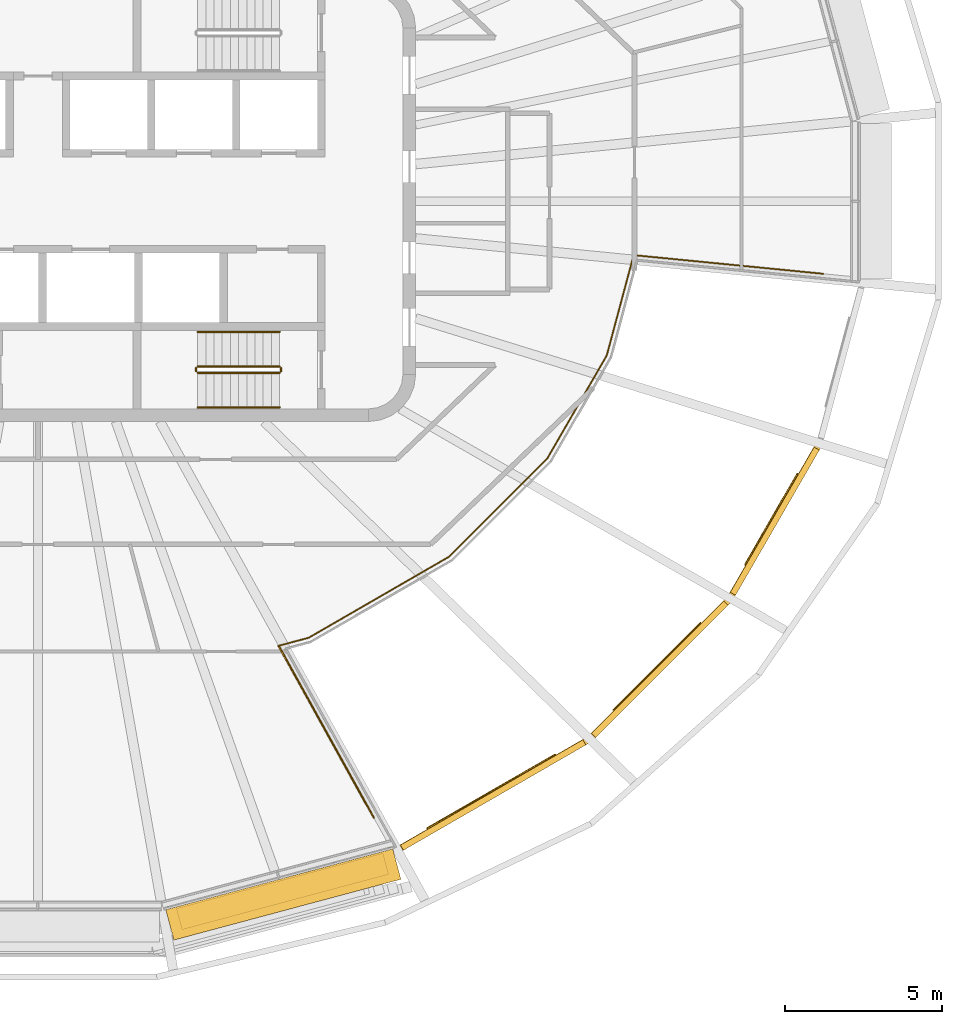
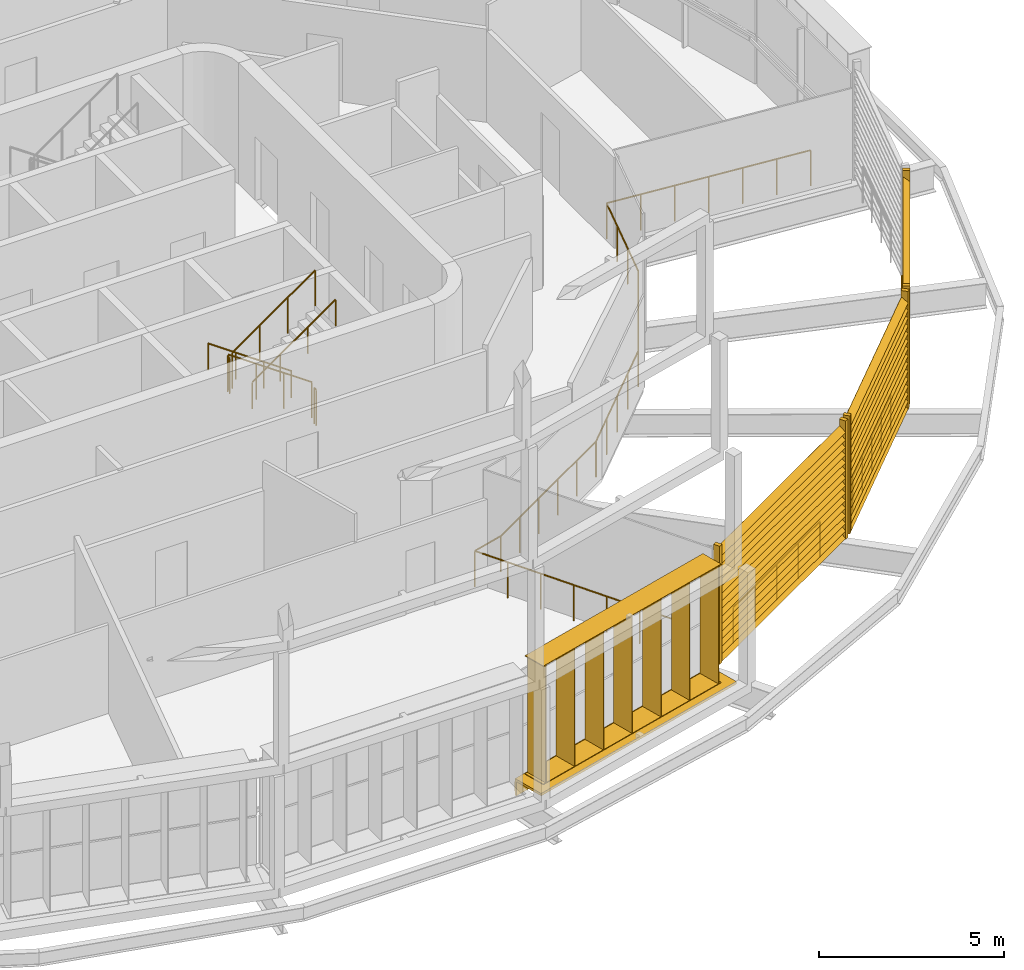
# One storey, part 16 of 18: 11 railings, 5 shading devices.
"""IFC4 building model written with IfcOpenShell, lengths in metres."""

from ifc_helpers import new_model, si_unit, direction, frame, origin, origin_2d, place, context, subcontext, project, spatial, rectangle, circle, extrude, material, type_object, element, save


model = new_model("IFC4")

# Units and contexts
model_context = context("Model", 3, precision=1e-05, world=origin(), true_north=direction((0.0, 1.0)))
body_context = subcontext(model_context, "Body", "Model", "MODEL_VIEW")
ifc_project = project(units=[si_unit("LENGTHUNIT", "METRE"), si_unit("AREAUNIT", "SQUARE_METRE"), si_unit("VOLUMEUNIT", "CUBIC_METRE"), si_unit("PLANEANGLEUNIT", "RADIAN"), si_unit("MASSUNIT", "GRAM", prefix="KILO")], contexts=[model_context])

# Site, building, storey
site_placement = place(None, origin())
site = spatial("IfcSite", under=ifc_project, at=site_placement, CompositionType="ELEMENT")
building_placement = place(site_placement, origin())
building = spatial("IfcBuilding", under=site, at=building_placement, Name="Sahrelin Media Tower", CompositionType="ELEMENT")
storey_placement = place(building_placement, frame((0.0, 0.0, 308.39990234375)))
storey = spatial("IfcBuildingStorey", under=building, at=storey_placement, Name="L68", CompositionType="ELEMENT", Elevation=308.39990234375)

# Shading devices
ifc_material_1 = material(Name="Champagne anodised aluminium 6063-T6", Category="aluminium")
shading_device_type_1 = type_object("IfcShadingDeviceType", Name="Fin cassette", PredefinedType="USERDEFINED", material=ifc_material_1)
placement = place(storey_placement, frame((7.662109375, -21.52099609375, 0.0), z_axis=(0.0, 0.0, 1.0), x_axis=(-0.965928857556, -0.258807731996, 0.0)))
element("IfcShadingDevice", 1, at=placement, inside=storey, type_object=shading_device_type_1, Name="L68:FIN:L68-19", ObjectType="FIN", PredefinedType="USERDEFINED", context=body_context, shape_type="SweptSolid", body=[
    extrude(rectangle(XDim=6.800048828125, YDim=0.699951171875, at=origin_2d()), frame((0.0, 0.419921875, 0.0)), (0.0, 0.0, 1.0), 0.02001953125),
    extrude(rectangle(XDim=6.800048828125, YDim=0.699951171875, at=origin_2d()), frame((0.0, 0.419921875, 3.89990234375)), (0.0, 0.0, 1.0), 0.02001953125),
    extrude(rectangle(XDim=0.02001953125, YDim=0.699951171875, at=origin_2d()), frame((-3.300048828125, 0.419921875, 0.010009765625), z_axis=(0.0, 0.0, 1.0), x_axis=(1.0, 0.0, 0.0)), (0.0, 0.0, 1.0), 3.89990234375),
    extrude(rectangle(XDim=0.02001953125, YDim=0.699951171875, at=origin_2d()), frame((-2.199951171875, 0.419921875, 0.010009765625), z_axis=(0.0, 0.0, 1.0), x_axis=(1.0, 0.0, 0.0)), (0.0, 0.0, 1.0), 3.89990234375),
    extrude(rectangle(XDim=0.02001953125, YDim=0.699951171875, at=origin_2d()), frame((-1.10009765625, 0.419921875, 0.010009765625), z_axis=(0.0, 0.0, 1.0), x_axis=(1.0, 0.0, 0.0)), (0.0, 0.0, 1.0), 3.89990234375),
    extrude(rectangle(XDim=0.02001953125, YDim=0.699951171875, at=origin_2d()), frame((0.0, 0.419921875, 0.010009765625), z_axis=(0.0, 0.0, 1.0), x_axis=(1.0, 0.0, 0.0)), (0.0, 0.0, 1.0), 3.89990234375),
    extrude(rectangle(XDim=0.02001953125, YDim=0.699951171875, at=origin_2d()), frame((1.10009765625, 0.419921875, 0.010009765625), z_axis=(0.0, 0.0, 1.0), x_axis=(1.0, 0.0, 0.0)), (0.0, 0.0, 1.0), 3.89990234375),
    extrude(rectangle(XDim=0.02001953125, YDim=0.699951171875, at=origin_2d()), frame((2.199951171875, 0.419921875, 0.010009765625), z_axis=(0.0, 0.0, 1.0), x_axis=(1.0, 0.0, 0.0)), (0.0, 0.0, 1.0), 3.89990234375),
    extrude(rectangle(XDim=0.02001953125, YDim=0.699951171875, at=origin_2d()), frame((3.300048828125, 0.419921875, 0.010009765625), z_axis=(0.0, 0.0, 1.0), x_axis=(1.0, 0.0, 0.0)), (0.0, 0.0, 1.0), 3.89990234375),
])
shading_device_type_2 = type_object("IfcShadingDeviceType", Name="Garden screen", PredefinedType="USERDEFINED", material=ifc_material_1)
shading_device_2_placement = place(storey_placement, frame((14.40869140625, -18.771240234375, 0.0), z_axis=(0.0, 0.0, 1.0), x_axis=(-0.866019052629, -0.500011000363, 0.0)))
element("IfcShadingDevice", 2, at=shading_device_2_placement, inside=storey, type_object=shading_device_type_2, Name="L68:SCREEN:L68-20", ObjectType="SCREEN", PredefinedType="USERDEFINED", context=body_context, shape_type="SweptSolid", body=[
    extrude(rectangle(XDim=0.1201171875, YDim=0.199951171875, at=origin_2d()), frame((3.405517578125, 0.10009765625, 0.050048828125), z_axis=(0.0, 0.0, 1.0), x_axis=(1.0, 0.0, 0.0)), (0.0, 0.0, 1.0), 3.89990234375),
    extrude(rectangle(XDim=0.1201171875, YDim=0.199951171875, at=origin_2d()), frame((-3.405517578125, 0.10009765625, 0.050048828125), z_axis=(0.0, 0.0, 1.0), x_axis=(1.0, 0.0, 0.0)), (0.0, 0.0, 1.0), 3.89990234375),
    extrude(rectangle(XDim=0.25, YDim=0.02001953125, at=origin_2d()), frame((3.345703125, 0.10009765625, 0.14990234375), z_axis=(-1.0, 0.0, 0.0), x_axis=(0.0, -0.766044443119, 0.642787609687)), (0.0, 0.0, 1.0), 6.69140625),
    extrude(rectangle(XDim=0.25, YDim=0.02001953125, at=origin_2d()), frame((3.345703125, 0.10009765625, 0.39990234375), z_axis=(-1.0, 0.0, 0.0), x_axis=(0.0, -0.766044443119, 0.642787609687)), (0.0, 0.0, 1.0), 6.69140625),
    extrude(rectangle(XDim=0.25, YDim=0.02001953125, at=origin_2d()), frame((3.345703125, 0.10009765625, 0.64990234375), z_axis=(-1.0, 0.0, 0.0), x_axis=(0.0, -0.766044443119, 0.642787609687)), (0.0, 0.0, 1.0), 6.69140625),
    extrude(rectangle(XDim=0.25, YDim=0.02001953125, at=origin_2d()), frame((3.345703125, 0.10009765625, 0.89990234375), z_axis=(-1.0, 0.0, 0.0), x_axis=(0.0, -0.766044443119, 0.642787609687)), (0.0, 0.0, 1.0), 6.69140625),
    extrude(rectangle(XDim=0.25, YDim=0.02001953125, at=origin_2d()), frame((3.345703125, 0.10009765625, 1.14990234375), z_axis=(-1.0, 0.0, 0.0), x_axis=(0.0, -0.766044443119, 0.642787609687)), (0.0, 0.0, 1.0), 6.69140625),
    extrude(rectangle(XDim=0.25, YDim=0.02001953125, at=origin_2d()), frame((3.345703125, 0.10009765625, 1.39990234375), z_axis=(-1.0, 0.0, 0.0), x_axis=(0.0, -0.766044443119, 0.642787609687)), (0.0, 0.0, 1.0), 6.69140625),
    extrude(rectangle(XDim=0.25, YDim=0.02001953125, at=origin_2d()), frame((3.345703125, 0.10009765625, 1.64990234375), z_axis=(-1.0, 0.0, 0.0), x_axis=(0.0, -0.766044443119, 0.642787609687)), (0.0, 0.0, 1.0), 6.69140625),
    extrude(rectangle(XDim=0.25, YDim=0.02001953125, at=origin_2d()), frame((3.345703125, 0.10009765625, 1.89990234375), z_axis=(-1.0, 0.0, 0.0), x_axis=(0.0, -0.766044443119, 0.642787609687)), (0.0, 0.0, 1.0), 6.69140625),
    extrude(rectangle(XDim=0.25, YDim=0.02001953125, at=origin_2d()), frame((3.345703125, 0.10009765625, 2.14990234375), z_axis=(-1.0, 0.0, 0.0), x_axis=(0.0, -0.766044443119, 0.642787609687)), (0.0, 0.0, 1.0), 6.69140625),
    extrude(rectangle(XDim=0.25, YDim=0.02001953125, at=origin_2d()), frame((3.345703125, 0.10009765625, 2.39990234375), z_axis=(-1.0, 0.0, 0.0), x_axis=(0.0, -0.766044443119, 0.642787609687)), (0.0, 0.0, 1.0), 6.69140625),
    extrude(rectangle(XDim=0.25, YDim=0.02001953125, at=origin_2d()), frame((3.345703125, 0.10009765625, 2.64990234375), z_axis=(-1.0, 0.0, 0.0), x_axis=(0.0, -0.766044443119, 0.642787609687)), (0.0, 0.0, 1.0), 6.69140625),
    extrude(rectangle(XDim=0.25, YDim=0.02001953125, at=origin_2d()), frame((3.345703125, 0.10009765625, 2.89990234375), z_axis=(-1.0, 0.0, 0.0), x_axis=(0.0, -0.766044443119, 0.642787609687)), (0.0, 0.0, 1.0), 6.69140625),
    extrude(rectangle(XDim=0.25, YDim=0.02001953125, at=origin_2d()), frame((3.345703125, 0.10009765625, 3.14990234375), z_axis=(-1.0, 0.0, 0.0), x_axis=(0.0, -0.766044443119, 0.642787609687)), (0.0, 0.0, 1.0), 6.69140625),
    extrude(rectangle(XDim=0.25, YDim=0.02001953125, at=origin_2d()), frame((3.345703125, 0.10009765625, 3.39990234375), z_axis=(-1.0, 0.0, 0.0), x_axis=(0.0, -0.766044443119, 0.642787609687)), (0.0, 0.0, 1.0), 6.69140625),
    extrude(rectangle(XDim=0.25, YDim=0.02001953125, at=origin_2d()), frame((3.345703125, 0.10009765625, 3.64990234375), z_axis=(-1.0, 0.0, 0.0), x_axis=(0.0, -0.766044443119, 0.642787609687)), (0.0, 0.0, 1.0), 6.69140625),
])
shading_device_3_placement = place(storey_placement, frame((19.677490234375, -14.78955078125, 0.0), z_axis=(0.0, 0.0, 1.0), x_axis=(-0.707106781187, -0.707106781187, 0.0)))
element("IfcShadingDevice", 3, at=shading_device_3_placement, inside=storey, type_object=shading_device_type_2, Name="L68:SCREEN:L68-21", ObjectType="SCREEN", PredefinedType="USERDEFINED", context=body_context, shape_type="SweptSolid", body=[
    extrude(rectangle(XDim=0.1201171875, YDim=0.199951171875, at=origin_2d()), frame((3.03515625, 0.10009765625, 0.050048828125), z_axis=(0.0, 0.0, 1.0), x_axis=(1.0, 0.0, 0.0)), (0.0, 0.0, 1.0), 3.89990234375),
    extrude(rectangle(XDim=0.1201171875, YDim=0.199951171875, at=origin_2d()), frame((-3.03515625, 0.10009765625, 0.050048828125), z_axis=(0.0, 0.0, 1.0), x_axis=(1.0, 0.0, 0.0)), (0.0, 0.0, 1.0), 3.89990234375),
    extrude(rectangle(XDim=0.25, YDim=0.02001953125, at=origin_2d()), frame((2.97509765625, 0.10009765625, 0.14990234375), z_axis=(-1.0, 0.0, 0.0), x_axis=(0.0, -0.766044443119, 0.642787609687)), (0.0, 0.0, 1.0), 5.9501953125),
    extrude(rectangle(XDim=0.25, YDim=0.02001953125, at=origin_2d()), frame((2.97509765625, 0.10009765625, 0.39990234375), z_axis=(-1.0, 0.0, 0.0), x_axis=(0.0, -0.766044443119, 0.642787609687)), (0.0, 0.0, 1.0), 5.9501953125),
    extrude(rectangle(XDim=0.25, YDim=0.02001953125, at=origin_2d()), frame((2.97509765625, 0.10009765625, 0.64990234375), z_axis=(-1.0, 0.0, 0.0), x_axis=(0.0, -0.766044443119, 0.642787609687)), (0.0, 0.0, 1.0), 5.9501953125),
    extrude(rectangle(XDim=0.25, YDim=0.02001953125, at=origin_2d()), frame((2.97509765625, 0.10009765625, 0.89990234375), z_axis=(-1.0, 0.0, 0.0), x_axis=(0.0, -0.766044443119, 0.642787609687)), (0.0, 0.0, 1.0), 5.9501953125),
    extrude(rectangle(XDim=0.25, YDim=0.02001953125, at=origin_2d()), frame((2.97509765625, 0.10009765625, 1.14990234375), z_axis=(-1.0, 0.0, 0.0), x_axis=(0.0, -0.766044443119, 0.642787609687)), (0.0, 0.0, 1.0), 5.9501953125),
    extrude(rectangle(XDim=0.25, YDim=0.02001953125, at=origin_2d()), frame((2.97509765625, 0.10009765625, 1.39990234375), z_axis=(-1.0, 0.0, 0.0), x_axis=(0.0, -0.766044443119, 0.642787609687)), (0.0, 0.0, 1.0), 5.9501953125),
    extrude(rectangle(XDim=0.25, YDim=0.02001953125, at=origin_2d()), frame((2.97509765625, 0.10009765625, 1.64990234375), z_axis=(-1.0, 0.0, 0.0), x_axis=(0.0, -0.766044443119, 0.642787609687)), (0.0, 0.0, 1.0), 5.9501953125),
    extrude(rectangle(XDim=0.25, YDim=0.02001953125, at=origin_2d()), frame((2.97509765625, 0.10009765625, 1.89990234375), z_axis=(-1.0, 0.0, 0.0), x_axis=(0.0, -0.766044443119, 0.642787609687)), (0.0, 0.0, 1.0), 5.9501953125),
    extrude(rectangle(XDim=0.25, YDim=0.02001953125, at=origin_2d()), frame((2.97509765625, 0.10009765625, 2.14990234375), z_axis=(-1.0, 0.0, 0.0), x_axis=(0.0, -0.766044443119, 0.642787609687)), (0.0, 0.0, 1.0), 5.9501953125),
    extrude(rectangle(XDim=0.25, YDim=0.02001953125, at=origin_2d()), frame((2.97509765625, 0.10009765625, 2.39990234375), z_axis=(-1.0, 0.0, 0.0), x_axis=(0.0, -0.766044443119, 0.642787609687)), (0.0, 0.0, 1.0), 5.9501953125),
    extrude(rectangle(XDim=0.25, YDim=0.02001953125, at=origin_2d()), frame((2.97509765625, 0.10009765625, 2.64990234375), z_axis=(-1.0, 0.0, 0.0), x_axis=(0.0, -0.766044443119, 0.642787609687)), (0.0, 0.0, 1.0), 5.9501953125),
    extrude(rectangle(XDim=0.25, YDim=0.02001953125, at=origin_2d()), frame((2.97509765625, 0.10009765625, 2.89990234375), z_axis=(-1.0, 0.0, 0.0), x_axis=(0.0, -0.766044443119, 0.642787609687)), (0.0, 0.0, 1.0), 5.9501953125),
    extrude(rectangle(XDim=0.25, YDim=0.02001953125, at=origin_2d()), frame((2.97509765625, 0.10009765625, 3.14990234375), z_axis=(-1.0, 0.0, 0.0), x_axis=(0.0, -0.766044443119, 0.642787609687)), (0.0, 0.0, 1.0), 5.9501953125),
    extrude(rectangle(XDim=0.25, YDim=0.02001953125, at=origin_2d()), frame((2.97509765625, 0.10009765625, 3.39990234375), z_axis=(-1.0, 0.0, 0.0), x_axis=(0.0, -0.766044443119, 0.642787609687)), (0.0, 0.0, 1.0), 5.9501953125),
    extrude(rectangle(XDim=0.25, YDim=0.02001953125, at=origin_2d()), frame((2.97509765625, 0.10009765625, 3.64990234375), z_axis=(-1.0, 0.0, 0.0), x_axis=(0.0, -0.766044443119, 0.642787609687)), (0.0, 0.0, 1.0), 5.9501953125),
])
shading_device_4_placement = place(storey_placement, frame((23.318115234375, -10.11181640625, 0.0), z_axis=(0.0, 0.0, 1.0), x_axis=(-0.500011000363, -0.866019052629, 0.0)))
element("IfcShadingDevice", 4, at=shading_device_4_placement, inside=storey, type_object=shading_device_type_2, Name="L68:SCREEN:L68-22", ObjectType="SCREEN", PredefinedType="USERDEFINED", context=body_context, shape_type="SweptSolid", body=[
    extrude(rectangle(XDim=0.1201171875, YDim=0.199951171875, at=origin_2d()), frame((2.72314453125, 0.10009765625, 0.050048828125), z_axis=(0.0, 0.0, 1.0), x_axis=(1.0, 0.0, 0.0)), (0.0, 0.0, 1.0), 3.89990234375),
    extrude(rectangle(XDim=0.1201171875, YDim=0.199951171875, at=origin_2d()), frame((-2.72314453125, 0.10009765625, 0.050048828125), z_axis=(0.0, 0.0, 1.0), x_axis=(1.0, 0.0, 0.0)), (0.0, 0.0, 1.0), 3.89990234375),
    extrude(rectangle(XDim=0.25, YDim=0.02001953125, at=origin_2d()), frame((2.6630859375, 0.10009765625, 0.14990234375), z_axis=(-1.0, 0.0, 0.0), x_axis=(0.0, -0.766044443119, 0.642787609687)), (0.0, 0.0, 1.0), 5.326171875),
    extrude(rectangle(XDim=0.25, YDim=0.02001953125, at=origin_2d()), frame((2.6630859375, 0.10009765625, 0.39990234375), z_axis=(-1.0, 0.0, 0.0), x_axis=(0.0, -0.766044443119, 0.642787609687)), (0.0, 0.0, 1.0), 5.326171875),
    extrude(rectangle(XDim=0.25, YDim=0.02001953125, at=origin_2d()), frame((2.6630859375, 0.10009765625, 0.64990234375), z_axis=(-1.0, 0.0, 0.0), x_axis=(0.0, -0.766044443119, 0.642787609687)), (0.0, 0.0, 1.0), 5.326171875),
    extrude(rectangle(XDim=0.25, YDim=0.02001953125, at=origin_2d()), frame((2.6630859375, 0.10009765625, 0.89990234375), z_axis=(-1.0, 0.0, 0.0), x_axis=(0.0, -0.766044443119, 0.642787609687)), (0.0, 0.0, 1.0), 5.326171875),
    extrude(rectangle(XDim=0.25, YDim=0.02001953125, at=origin_2d()), frame((2.6630859375, 0.10009765625, 1.14990234375), z_axis=(-1.0, 0.0, 0.0), x_axis=(0.0, -0.766044443119, 0.642787609687)), (0.0, 0.0, 1.0), 5.326171875),
    extrude(rectangle(XDim=0.25, YDim=0.02001953125, at=origin_2d()), frame((2.6630859375, 0.10009765625, 1.39990234375), z_axis=(-1.0, 0.0, 0.0), x_axis=(0.0, -0.766044443119, 0.642787609687)), (0.0, 0.0, 1.0), 5.326171875),
    extrude(rectangle(XDim=0.25, YDim=0.02001953125, at=origin_2d()), frame((2.6630859375, 0.10009765625, 1.64990234375), z_axis=(-1.0, 0.0, 0.0), x_axis=(0.0, -0.766044443119, 0.642787609687)), (0.0, 0.0, 1.0), 5.326171875),
    extrude(rectangle(XDim=0.25, YDim=0.02001953125, at=origin_2d()), frame((2.6630859375, 0.10009765625, 1.89990234375), z_axis=(-1.0, 0.0, 0.0), x_axis=(0.0, -0.766044443119, 0.642787609687)), (0.0, 0.0, 1.0), 5.326171875),
    extrude(rectangle(XDim=0.25, YDim=0.02001953125, at=origin_2d()), frame((2.6630859375, 0.10009765625, 2.14990234375), z_axis=(-1.0, 0.0, 0.0), x_axis=(0.0, -0.766044443119, 0.642787609687)), (0.0, 0.0, 1.0), 5.326171875),
    extrude(rectangle(XDim=0.25, YDim=0.02001953125, at=origin_2d()), frame((2.6630859375, 0.10009765625, 2.39990234375), z_axis=(-1.0, 0.0, 0.0), x_axis=(0.0, -0.766044443119, 0.642787609687)), (0.0, 0.0, 1.0), 5.326171875),
    extrude(rectangle(XDim=0.25, YDim=0.02001953125, at=origin_2d()), frame((2.6630859375, 0.10009765625, 2.64990234375), z_axis=(-1.0, 0.0, 0.0), x_axis=(0.0, -0.766044443119, 0.642787609687)), (0.0, 0.0, 1.0), 5.326171875),
    extrude(rectangle(XDim=0.25, YDim=0.02001953125, at=origin_2d()), frame((2.6630859375, 0.10009765625, 2.89990234375), z_axis=(-1.0, 0.0, 0.0), x_axis=(0.0, -0.766044443119, 0.642787609687)), (0.0, 0.0, 1.0), 5.326171875),
    extrude(rectangle(XDim=0.25, YDim=0.02001953125, at=origin_2d()), frame((2.6630859375, 0.10009765625, 3.14990234375), z_axis=(-1.0, 0.0, 0.0), x_axis=(0.0, -0.766044443119, 0.642787609687)), (0.0, 0.0, 1.0), 5.326171875),
    extrude(rectangle(XDim=0.25, YDim=0.02001953125, at=origin_2d()), frame((2.6630859375, 0.10009765625, 3.39990234375), z_axis=(-1.0, 0.0, 0.0), x_axis=(0.0, -0.766044443119, 0.642787609687)), (0.0, 0.0, 1.0), 5.326171875),
    extrude(rectangle(XDim=0.25, YDim=0.02001953125, at=origin_2d()), frame((2.6630859375, 0.10009765625, 3.64990234375), z_axis=(-1.0, 0.0, 0.0), x_axis=(0.0, -0.766044443119, 0.642787609687)), (0.0, 0.0, 1.0), 5.326171875),
])

# Railings
ifc_material_2 = material(Name="Stainless steel 316", Category="steel")
railing_type_1 = type_object("IfcRailingType", Name="Sky garden guard", PredefinedType="GUARDRAIL", material=ifc_material_2)
railing_1_placement = place(storey_placement, frame((7.646484375, -14.123046875, 0.0)))
element("IfcRailing", 5, at=railing_1_placement, inside=storey, type_object=railing_type_1, Name="Sky garden void guard G6-1", PredefinedType="GUARDRAIL", context=body_context, shape_type="SweptSolid", body=[
    extrude(circle(Radius=0.02392578125, at=origin_2d()), frame((0.0, 0.0, 1.17578125), z_axis=(0.965890903098, 0.258949345071, 0.0), x_axis=(-0.258949345071, 0.965890903098, 0.0)), (0.0, 0.0, 1.0), 0.991943359375),
    extrude(circle(Radius=0.02392578125, at=origin_2d()), frame((0.9580078125, 0.2568359375, 1.17578125), z_axis=(0.866028442016, 0.499994737591, 0.0), x_axis=(-0.499994737591, 0.866028442016, 0.0)), (0.0, 0.0, 1.0), 5.1484375),
    extrude(circle(Radius=0.02392578125, at=origin_2d()), frame((5.416748046875, 2.8310546875, 1.17578125), z_axis=(0.707106781187, 0.707106781187, 0.0), x_axis=(-0.707106781187, 0.707106781187, 0.0)), (0.0, 0.0, 1.0), 4.40771484375),
    extrude(circle(Radius=0.02392578125, at=origin_2d()), frame((8.533447265625, 5.94775390625, 1.17578125), z_axis=(0.499990548297, 0.866030860659, 0.0), x_axis=(-0.866030860659, 0.499990548297, 0.0)), (0.0, 0.0, 1.0), 3.78369140625),
    extrude(circle(Radius=0.02392578125, at=origin_2d()), frame((10.42529296875, 9.224609375, 1.17578125), z_axis=(0.258832247981, 0.965922288492, 0.0), x_axis=(-0.965922288492, 0.258832247981, 0.0)), (0.0, 0.0, 1.0), 3.299560546875),
    extrude(circle(Radius=0.02392578125, at=origin_2d()), frame((11.279296875, 12.41162109375, 1.17578125), z_axis=(0.995195994068, -0.097902673052, 0.0), x_axis=(0.097902673052, 0.995195994068, 0.0)), (0.0, 0.0, 1.0), 6.0546875),
    extrude(circle(Radius=0.02099609375, at=origin_2d()), origin(), (0.0, 0.0, 1.0), 1.15185546875),
    extrude(circle(Radius=0.02099609375, at=origin_2d()), frame((0.9580078125, 0.2568359375, 0.0)), (0.0, 0.0, 1.0), 1.15185546875),
    extrude(circle(Radius=0.02099609375, at=origin_2d()), frame((1.849853515625, 0.771728515625, 0.0)), (0.0, 0.0, 1.0), 1.15185546875),
    extrude(circle(Radius=0.02099609375, at=origin_2d()), frame((2.741455078125, 1.28662109375, 0.0)), (0.0, 0.0, 1.0), 1.15185546875),
    extrude(circle(Radius=0.02099609375, at=origin_2d()), frame((3.63330078125, 1.80126953125, 0.0)), (0.0, 0.0, 1.0), 1.15185546875),
    extrude(circle(Radius=0.02099609375, at=origin_2d()), frame((4.52490234375, 2.316162109375, 0.0)), (0.0, 0.0, 1.0), 1.15185546875),
    extrude(circle(Radius=0.02099609375, at=origin_2d()), frame((5.416748046875, 2.8310546875, 0.0)), (0.0, 0.0, 1.0), 1.15185546875),
    extrude(circle(Radius=0.02099609375, at=origin_2d()), frame((6.19580078125, 3.6103515625, 0.0)), (0.0, 0.0, 1.0), 1.15185546875),
    extrude(circle(Radius=0.02099609375, at=origin_2d()), frame((6.97509765625, 4.389404296875, 0.0)), (0.0, 0.0, 1.0), 1.15185546875),
    extrude(circle(Radius=0.02099609375, at=origin_2d()), frame((7.75439453125, 5.16845703125, 0.0)), (0.0, 0.0, 1.0), 1.15185546875),
    extrude(circle(Radius=0.02099609375, at=origin_2d()), frame((8.533447265625, 5.94775390625, 0.0)), (0.0, 0.0, 1.0), 1.15185546875),
    extrude(circle(Radius=0.02099609375, at=origin_2d()), frame((9.00634765625, 6.76708984375, 0.0)), (0.0, 0.0, 1.0), 1.15185546875),
    extrude(circle(Radius=0.02099609375, at=origin_2d()), frame((9.4794921875, 7.586181640625, 0.0)), (0.0, 0.0, 1.0), 1.15185546875),
    extrude(circle(Radius=0.02099609375, at=origin_2d()), frame((9.952392578125, 8.4052734375, 0.0)), (0.0, 0.0, 1.0), 1.15185546875),
    extrude(circle(Radius=0.02099609375, at=origin_2d()), frame((10.42529296875, 9.224609375, 0.0)), (0.0, 0.0, 1.0), 1.15185546875),
    extrude(circle(Radius=0.02099609375, at=origin_2d()), frame((10.7099609375, 10.286865234375, 0.0)), (0.0, 0.0, 1.0), 1.15185546875),
    extrude(circle(Radius=0.02099609375, at=origin_2d()), frame((10.99462890625, 11.349365234375, 0.0)), (0.0, 0.0, 1.0), 1.15185546875),
    extrude(circle(Radius=0.02099609375, at=origin_2d()), frame((11.279296875, 12.41162109375, 0.0)), (0.0, 0.0, 1.0), 1.15185546875),
    extrude(circle(Radius=0.02099609375, at=origin_2d()), frame((12.28369140625, 12.312744140625, 0.0)), (0.0, 0.0, 1.0), 1.15185546875),
    extrude(circle(Radius=0.02099609375, at=origin_2d()), frame((13.287841796875, 12.214111328125, 0.0)), (0.0, 0.0, 1.0), 1.15185546875),
    extrude(circle(Radius=0.02099609375, at=origin_2d()), frame((14.2919921875, 12.115234375, 0.0)), (0.0, 0.0, 1.0), 1.15185546875),
    extrude(circle(Radius=0.02099609375, at=origin_2d()), frame((15.29638671875, 12.016357421875, 0.0)), (0.0, 0.0, 1.0), 1.15185546875),
    extrude(circle(Radius=0.02099609375, at=origin_2d()), frame((16.30078125, 11.917724609375, 0.0)), (0.0, 0.0, 1.0), 1.15185546875),
    extrude(circle(Radius=0.02099609375, at=origin_2d()), frame((17.304931640625, 11.81884765625, 0.0)), (0.0, 0.0, 1.0), 1.15185546875),
])
railing_2_placement = place(storey_placement, frame((24.127197265625, -8.665283203125, 0.0)))
element("IfcRailing", 6, at=railing_2_placement, inside=storey, type_object=railing_type_1, Name="Sky garden void guard G6-3", PredefinedType="GUARDRAIL", context=body_context, shape_type="SweptSolid", body=[
    extrude(circle(Radius=0.02392578125, at=origin_2d()), frame((0.0, 0.0, 1.17578125), z_axis=(-0.500002839747, -0.86602376425, 0.0), x_axis=(0.86602376425, -0.500002839747, 0.0)), (0.0, 0.0, 1.0), 3.31640625),
    extrude(circle(Radius=0.02099609375, at=origin_2d()), origin(), (0.0, 0.0, 1.0), 1.15185546875),
    extrude(circle(Radius=0.02099609375, at=origin_2d()), frame((-0.552734375, -0.957275390625, 0.0)), (0.0, 0.0, 1.0), 1.15185546875),
    extrude(circle(Radius=0.02099609375, at=origin_2d()), frame((-1.10546875, -1.914794921875, 0.0)), (0.0, 0.0, 1.0), 1.15185546875),
    extrude(circle(Radius=0.02099609375, at=origin_2d()), frame((-1.658203125, -2.8720703125, 0.0)), (0.0, 0.0, 1.0), 1.15185546875),
])
railing_3_placement = place(storey_placement, frame((21.052734375, -13.38232421875, 0.0)))
element("IfcRailing", 7, at=railing_3_placement, inside=storey, type_object=railing_type_1, Name="Sky garden void guard G6-4", PredefinedType="GUARDRAIL", context=body_context, shape_type="SweptSolid", body=[
    extrude(circle(Radius=0.02392578125, at=origin_2d()), frame((0.0, 0.0, 1.17578125), z_axis=(-0.707075757526, -0.707137803486, 0.0), x_axis=(0.707137803486, -0.707075757526, 0.0)), (0.0, 0.0, 1.0), 3.934814453125),
    extrude(circle(Radius=0.02099609375, at=origin_2d()), origin(), (0.0, 0.0, 1.0), 1.15185546875),
    extrude(circle(Radius=0.02099609375, at=origin_2d()), frame((-0.695556640625, -0.695556640625, 0.0)), (0.0, 0.0, 1.0), 1.15185546875),
    extrude(circle(Radius=0.02099609375, at=origin_2d()), frame((-1.39111328125, -1.39111328125, 0.0)), (0.0, 0.0, 1.0), 1.15185546875),
    extrude(circle(Radius=0.02099609375, at=origin_2d()), frame((-2.086669921875, -2.0869140625, 0.0)), (0.0, 0.0, 1.0), 1.15185546875),
    extrude(circle(Radius=0.02099609375, at=origin_2d()), frame((-2.7822265625, -2.782470703125, 0.0)), (0.0, 0.0, 1.0), 1.15185546875),
])
railing_4_placement = place(storey_placement, frame((16.42529296875, -17.5810546875, 0.0)))
element("IfcRailing", 8, at=railing_4_placement, inside=storey, type_object=railing_type_1, Name="Sky garden void guard G6-5", PredefinedType="GUARDRAIL", context=body_context, shape_type="SweptSolid", body=[
    extrude(circle(Radius=0.02392578125, at=origin_2d()), frame((0.0, 0.0, 1.17578125), z_axis=(-0.866036210884, -0.499981281088, 0.0), x_axis=(0.499981281088, -0.866036210884, 0.0)), (0.0, 0.0, 1.0), 4.681396484375),
    extrude(circle(Radius=0.02099609375, at=origin_2d()), origin(), (0.0, 0.0, 1.0), 1.15185546875),
    extrude(circle(Radius=0.02099609375, at=origin_2d()), frame((-1.013671875, -0.585205078125, 0.0)), (0.0, 0.0, 1.0), 1.15185546875),
    extrude(circle(Radius=0.02099609375, at=origin_2d()), frame((-2.027099609375, -1.17041015625, 0.0)), (0.0, 0.0, 1.0), 1.15185546875),
    extrude(circle(Radius=0.02099609375, at=origin_2d()), frame((-3.04052734375, -1.75537109375, 0.0)), (0.0, 0.0, 1.0), 1.15185546875),
    extrude(circle(Radius=0.02099609375, at=origin_2d()), frame((-4.05419921875, -2.340576171875, 0.0)), (0.0, 0.0, 1.0), 1.15185546875),
])
railing_5_placement = place(storey_placement, frame((10.668212890625, -19.581298828125, 0.0)))
element("IfcRailing", 9, at=railing_5_placement, inside=storey, type_object=railing_type_1, Name="Sky garden void guard G6-6", PredefinedType="GUARDRAIL", context=body_context, shape_type="SweptSolid", body=[
    extrude(circle(Radius=0.02392578125, at=origin_2d()), frame((0.0, 0.0, 1.17578125), z_axis=(-0.484339952467, 0.874879883438, 0.0), x_axis=(-0.874879883438, -0.484339952467, 0.0)), (0.0, 0.0, 1.0), 6.23876953125),
    extrude(circle(Radius=0.02099609375, at=origin_2d()), origin(), (0.0, 0.0, 1.0), 1.15185546875),
    extrude(circle(Radius=0.02099609375, at=origin_2d()), frame((-0.503662109375, 0.90966796875, 0.0)), (0.0, 0.0, 1.0), 1.15185546875),
    extrude(circle(Radius=0.02099609375, at=origin_2d()), frame((-1.00732421875, 1.8193359375, 0.0)), (0.0, 0.0, 1.0), 1.15185546875),
    extrude(circle(Radius=0.02099609375, at=origin_2d()), frame((-1.5107421875, 2.72900390625, 0.0)), (0.0, 0.0, 1.0), 1.15185546875),
    extrude(circle(Radius=0.02099609375, at=origin_2d()), frame((-2.014404296875, 3.638916015625, 0.0)), (0.0, 0.0, 1.0), 1.15185546875),
    extrude(circle(Radius=0.02099609375, at=origin_2d()), frame((-2.51806640625, 4.548583984375, 0.0)), (0.0, 0.0, 1.0), 1.15185546875),
    extrude(circle(Radius=0.02099609375, at=origin_2d()), frame((-3.021728515625, 5.458251953125, 0.0)), (0.0, 0.0, 1.0), 1.15185546875),
])
ifc_material_3 = material(Name="Steel S355", Category="steel")
railing_type_2 = type_object("IfcRailingType", Name="Stair guard 1200", PredefinedType="GUARDRAIL", material=ifc_material_3)
railing_6_placement = place(storey_placement, frame((7.675048828125, -5.25, 0.181884765625)))
element("IfcRailing", 10, at=railing_6_placement, inside=storey, type_object=railing_type_2, Name="L68 ST2 stair guard 1", PredefinedType="GUARDRAIL", context=body_context, shape_type="SweptSolid", body=[
    extrude(circle(Radius=0.02392578125, at=origin_2d()), frame((0.0, 0.0, 1.17578125), z_axis=(-0.819521025635, 0.0, 0.573049115296), x_axis=(0.0, -1.0, 0.0)), (0.0, 0.0, 1.0), 3.172607421875),
    extrude(circle(Radius=0.02099609375, at=origin_2d()), origin(), (0.0, 0.0, 1.0), 1.15185546875),
    extrude(circle(Radius=0.02099609375, at=origin_2d()), frame((-0.86669921875, 0.0, 0.60595703125)), (0.0, 0.0, 1.0), 1.15185546875),
    extrude(circle(Radius=0.02099609375, at=origin_2d()), frame((-1.7333984375, 0.0, 1.212158203125)), (0.0, 0.0, 1.0), 1.15185546875),
    extrude(circle(Radius=0.02099609375, at=origin_2d()), frame((-2.60009765625, 0.0, 1.818115234375)), (0.0, 0.0, 1.0), 1.15185546875),
])
railing_7_placement = place(storey_placement, frame((5.02490234375, -5.300048828125, 2.0)))
element("IfcRailing", 11, at=railing_7_placement, inside=storey, type_object=railing_type_2, Name="L68 ST2 stair guard 2", PredefinedType="GUARDRAIL", context=body_context, shape_type="SweptSolid", body=[
    extrude(circle(Radius=0.02392578125, at=origin_2d()), frame((0.0, 0.0, 1.17578125), z_axis=(0.0, -1.0, 0.0), x_axis=(1.0, 0.0, 0.0)), (0.0, 0.0, 1.0), 0.099853515625),
    extrude(circle(Radius=0.02099609375, at=origin_2d()), origin(), (0.0, 0.0, 1.0), 1.15185546875),
    extrude(circle(Radius=0.02099609375, at=origin_2d()), frame((0.0, -0.099853515625, 0.0)), (0.0, 0.0, 1.0), 1.15185546875),
])
railing_8_placement = place(storey_placement, frame((5.074951171875, -5.449951171875, 2.181884765625)))
element("IfcRailing", 12, at=railing_8_placement, inside=storey, type_object=railing_type_2, Name="L68 ST2 stair guard 3", PredefinedType="GUARDRAIL", context=body_context, shape_type="SweptSolid", body=[
    extrude(circle(Radius=0.02392578125, at=origin_2d()), frame((0.0, 0.0, 1.17578125), z_axis=(0.819521025635, 0.0, 0.573049115296), x_axis=(0.0, 1.0, 0.0)), (0.0, 0.0, 1.0), 3.172607421875),
    extrude(circle(Radius=0.02099609375, at=origin_2d()), origin(), (0.0, 0.0, 1.0), 1.15185546875),
    extrude(circle(Radius=0.02099609375, at=origin_2d()), frame((0.86669921875, 0.0, 0.60595703125)), (0.0, 0.0, 1.0), 1.15185546875),
    extrude(circle(Radius=0.02099609375, at=origin_2d()), frame((1.7333984375, 0.0, 1.212158203125)), (0.0, 0.0, 1.0), 1.15185546875),
    extrude(circle(Radius=0.02099609375, at=origin_2d()), frame((2.60009765625, 0.0, 1.818115234375)), (0.0, 0.0, 1.0), 1.15185546875),
])
railing_9_placement = place(storey_placement, frame((7.72509765625, -5.300048828125, 0.0)))
element("IfcRailing", 13, at=railing_9_placement, inside=storey, type_object=railing_type_2, Name="L68 ST2 stair guard 4", PredefinedType="GUARDRAIL", context=body_context, shape_type="SweptSolid", body=[
    extrude(circle(Radius=0.02392578125, at=origin_2d()), frame((0.0, 0.0, 1.17578125), z_axis=(0.0, -1.0, 0.0), x_axis=(1.0, 0.0, 0.0)), (0.0, 0.0, 1.0), 0.099853515625),
    extrude(circle(Radius=0.02099609375, at=origin_2d()), origin(), (0.0, 0.0, 1.0), 1.15185546875),
    extrude(circle(Radius=0.02099609375, at=origin_2d()), frame((0.0, -0.099853515625, 0.0)), (0.0, 0.0, 1.0), 1.15185546875),
])
railing_type_3 = type_object("IfcRailingType", Name="Stair handrail 900", PredefinedType="HANDRAIL", material=ifc_material_3)
railing_10_placement = place(storey_placement, frame((7.675048828125, -4.14990234375, 0.181884765625)))
element("IfcRailing", 14, at=railing_10_placement, inside=storey, type_object=railing_type_3, Name="L68 ST2 stair handrail 1", PredefinedType="HANDRAIL", context=body_context, shape_type="SweptSolid", body=[
    extrude(circle(Radius=0.02392578125, at=origin_2d()), frame((0.0, 0.0, 0.8759765625), z_axis=(-0.819521025635, 0.0, 0.573049115296), x_axis=(0.0, -1.0, 0.0)), (0.0, 0.0, 1.0), 3.172607421875),
    extrude(circle(Radius=0.02099609375, at=origin_2d()), origin(), (0.0, 0.0, 1.0), 0.851806640625),
    extrude(circle(Radius=0.02099609375, at=origin_2d()), frame((-0.86669921875, 0.0, 0.60595703125)), (0.0, 0.0, 1.0), 0.851806640625),
    extrude(circle(Radius=0.02099609375, at=origin_2d()), frame((-1.7333984375, 0.0, 1.212158203125)), (0.0, 0.0, 1.0), 0.851806640625),
    extrude(circle(Radius=0.02099609375, at=origin_2d()), frame((-2.60009765625, 0.0, 1.818115234375)), (0.0, 0.0, 1.0), 0.851806640625),
])
railing_11_placement = place(storey_placement, frame((5.074951171875, -6.550048828125, 2.181884765625)))
element("IfcRailing", 15, at=railing_11_placement, inside=storey, type_object=railing_type_3, Name="L68 ST2 stair handrail 2", PredefinedType="HANDRAIL", context=body_context, shape_type="SweptSolid", body=[
    extrude(circle(Radius=0.02392578125, at=origin_2d()), frame((0.0, 0.0, 0.8759765625), z_axis=(0.819521025635, 0.0, 0.573049115296), x_axis=(0.0, 1.0, 0.0)), (0.0, 0.0, 1.0), 3.172607421875),
    extrude(circle(Radius=0.02099609375, at=origin_2d()), origin(), (0.0, 0.0, 1.0), 0.851806640625),
    extrude(circle(Radius=0.02099609375, at=origin_2d()), frame((0.86669921875, 0.0, 0.60595703125)), (0.0, 0.0, 1.0), 0.851806640625),
    extrude(circle(Radius=0.02099609375, at=origin_2d()), frame((1.7333984375, 0.0, 1.212158203125)), (0.0, 0.0, 1.0), 0.851806640625),
    extrude(circle(Radius=0.02099609375, at=origin_2d()), frame((2.60009765625, 0.0, 1.818115234375)), (0.0, 0.0, 1.0), 0.851806640625),
])

# Shading device
shading_device_type_3 = type_object("IfcShadingDeviceType", Name="Sunshade band", PredefinedType="USERDEFINED", material=ifc_material_1)
element("IfcShadingDevice", 16, at=placement, inside=storey, type_object=shading_device_type_3, Name="L68:SUN:L68-19", ObjectType="SUNSHADE", PredefinedType="USERDEFINED", context=body_context, shape_type="SweptSolid", body=[
    extrude(rectangle(XDim=7.46533203125, YDim=0.050048828125, at=origin_2d()), frame((0.0, 0.044921875, -0.55126953125)), (0.0, 0.0, 1.0), 0.471435546875),
    extrude(rectangle(XDim=7.46533203125, YDim=1.0, at=origin_2d()), frame((0.0, 0.52001953125, -0.080078125)), (0.0, 0.0, 1.0), 0.080078125),
    extrude(rectangle(XDim=0.10009765625, YDim=0.074951171875, at=origin_2d()), frame((-3.6328125, -0.017578125, -0.47021484375)), (0.0, 0.0, 1.0), 0.300048828125),
    extrude(rectangle(XDim=0.10009765625, YDim=0.074951171875, at=origin_2d()), frame((-1.81640625, -0.017578125, -0.47021484375)), (0.0, 0.0, 1.0), 0.300048828125),
    extrude(rectangle(XDim=0.10009765625, YDim=0.074951171875, at=origin_2d()), frame((0.0, -0.017578125, -0.47021484375)), (0.0, 0.0, 1.0), 0.300048828125),
    extrude(rectangle(XDim=0.10009765625, YDim=0.074951171875, at=origin_2d()), frame((1.81640625, -0.017578125, -0.47021484375)), (0.0, 0.0, 1.0), 0.300048828125),
    extrude(rectangle(XDim=0.10009765625, YDim=0.074951171875, at=origin_2d()), frame((3.6328125, -0.017578125, -0.47021484375)), (0.0, 0.0, 1.0), 0.300048828125),
])

save(model, "model.ifc")
